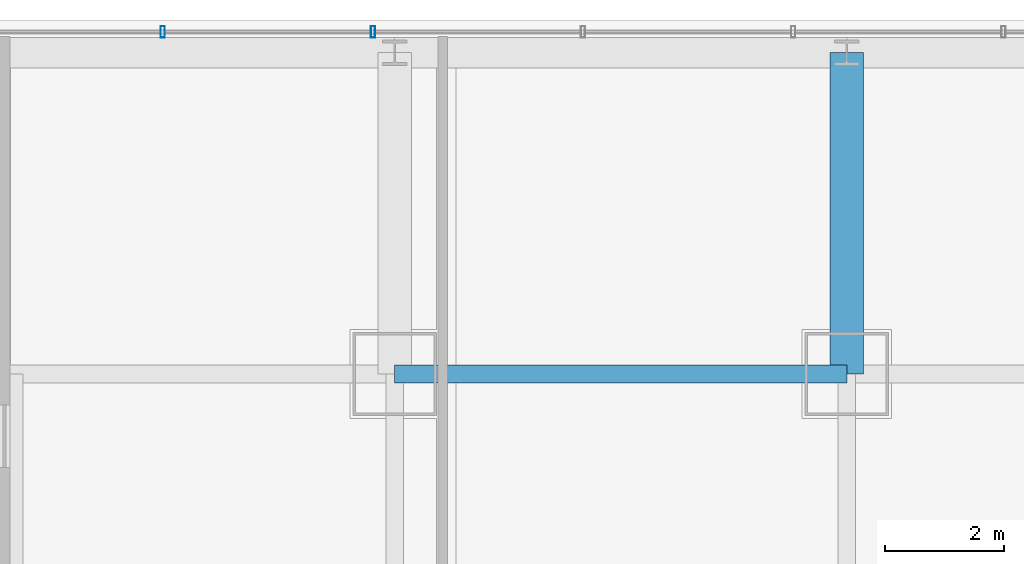
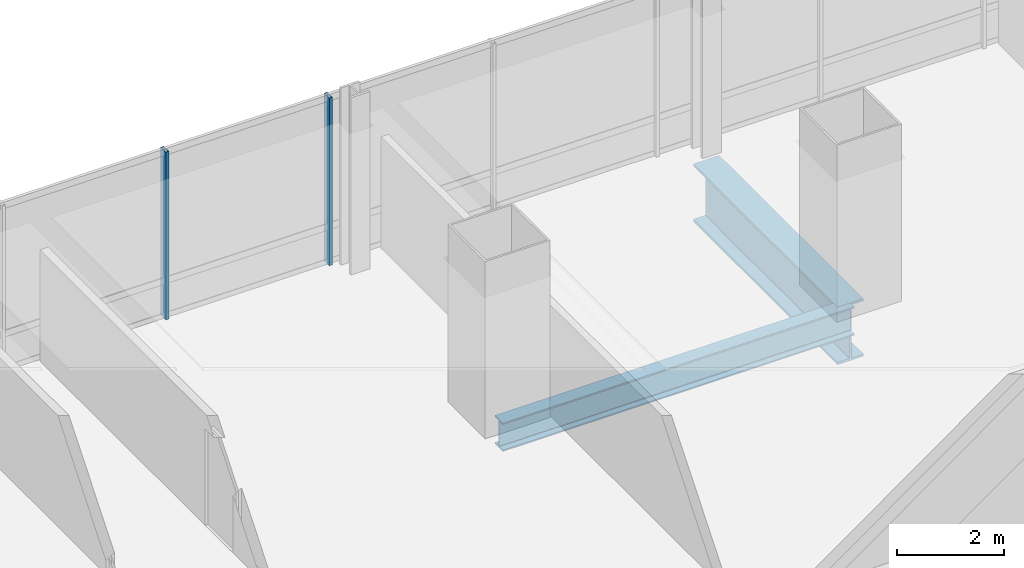
# One storey, part 23 of 38: 2 beams, 2 members, 1 element without a shape of its own.
"""IFC4 building model written with IfcOpenShell, lengths in metres."""

from ifc_helpers import new_model, si_unit, direction, frame, origin, origin_2d, place, context, subcontext, project, spatial, hollow_rectangle, i_section, extrude, material, material_profile, profile_set, type_object, element, aggregate, save


model = new_model("IFC4")

# Units and contexts
model_context = context("Model", 3, precision=1e-05, world=origin(), true_north=direction((0.0, 1.0)))
body_context = subcontext(model_context, "Body", "Model", "MODEL_VIEW")
ifc_project = project(units=[si_unit("LENGTHUNIT", "METRE"), si_unit("AREAUNIT", "SQUARE_METRE"), si_unit("VOLUMEUNIT", "CUBIC_METRE"), si_unit("PLANEANGLEUNIT", "RADIAN"), si_unit("MASSUNIT", "GRAM", prefix="KILO")], contexts=[model_context])

# Site, building, storey
site_placement = place(None, origin())
site = spatial("IfcSite", under=ifc_project, at=site_placement, CompositionType="ELEMENT")
building_placement = place(site_placement, origin())
building = spatial("IfcBuilding", under=site, at=building_placement, Name="Punatoya Terracotta Tower", CompositionType="ELEMENT")
storey_placement = place(building_placement, frame((0.0, 0.0, 143.85009765625)))
storey = spatial("IfcBuildingStorey", under=building, at=storey_placement, Name="L33", CompositionType="ELEMENT", Elevation=143.85009765625)

# Beams
ifc_material_1 = material(Name="Steel S355", Category="steel")
ifc_material_profile_1 = material_profile(ifc_material_1, i_section(OverallWidth=0.300048828125, OverallDepth=0.64990234375, WebThickness=0.01611328125, FlangeThickness=0.031005859375, FilletRadius=0.01806640625, at=origin_2d()))
ifc_profile_set_1 = profile_set([ifc_material_profile_1], Name="Steel S355")
beam_type_1 = type_object("IfcBeamType", Name="BM-PRI-650", PredefinedType="BEAM", material=ifc_profile_set_1)
beam_1_placement = place(storey_placement, frame((-3.800048828125, 17.5, -0.545166015625), z_axis=(1.0, 0.0, 0.0), x_axis=(0.0, 1.0, 0.0)))
element("IfcBeam", 1, at=beam_1_placement, inside=storey, type_object=beam_type_1, Name="BM-L33-RG-N2", PredefinedType="BEAM", context=body_context, shape_type="SweptSolid", body=[
    extrude(i_section(OverallWidth=0.300048828125, OverallDepth=0.64990234375, WebThickness=0.01611328125, FlangeThickness=0.031005859375, FilletRadius=0.01806640625, at=origin_2d()), origin(), (0.0, 0.0, 1.0), 7.60009765625),
])
ifc_material_2 = material(Name="Steel S460", Category="steel")
ifc_material_profile_2 = material_profile(ifc_material_2, i_section(OverallWidth=0.56005859375, OverallDepth=1.320068359375, WebThickness=0.035888671875, FlangeThickness=0.054931640625, FilletRadius=0.01806640625, at=origin_2d()))
ifc_profile_set_2 = profile_set([ifc_material_profile_2], Name="Steel S460")
beam_type_2 = type_object("IfcBeamType", Name="BM-TG-BLK", PredefinedType="BEAM", material=ifc_profile_set_2)
beam_2_placement = place(storey_placement, frame((3.800048828125, 17.5, -0.880126953125), z_axis=(0.0, 1.0, 0.0), x_axis=(-1.0, 0.0, 0.0)))
element("IfcBeam", 2, at=beam_2_placement, inside=storey, type_object=beam_type_2, Name="BM-L33-CANT-N3", PredefinedType="BEAM", context=body_context, shape_type="SweptSolid", body=[
    extrude(i_section(OverallWidth=0.56005859375, OverallDepth=1.320068359375, WebThickness=0.035888671875, FlangeThickness=0.054931640625, FilletRadius=0.01806640625, at=origin_2d()), origin(), (0.0, 0.0, 1.0), 5.39990234375),
])

# Curtain wall, members
ifc_material_3 = material(Name="Aluminium 6063-T6 + Double Low-E Glass", Category="aluminium")
curtain_wall_type = type_object("IfcCurtainWallType", Name="CW-M2", PredefinedType="NOTDEFINED", material=ifc_material_3)
curtain_wall_placement = place(storey_placement, origin())
curtain_wall = element("IfcCurtainWall", 3, at=curtain_wall_placement, inside=storey, type_object=curtain_wall_type, Name="L33 Curtain Wall CW-L33-N09-1", PredefinedType="NOTDEFINED")
ifc_material_4 = material(Name="Aluminium 6063-T6", Category="aluminium")
ifc_material_profile_3 = material_profile(ifc_material_4, hollow_rectangle(XDim=0.072021484375, YDim=0.195068359375, WallThickness=0.00439453125, at=origin_2d()))
ifc_profile_set_3 = profile_set([ifc_material_profile_3], Name="Aluminium 6063-T6")
member_type = type_object("IfcMemberType", Name="CW-MUL-M2", PredefinedType="MULLION", material=ifc_profile_set_3)
member_1_placement = place(storey_placement, frame((-4.1669921875, 23.25, 0.0), z_axis=(0.0, 0.0, 1.0), x_axis=(1.0, 0.0, 0.0)))
member_1 = element("IfcMember", 4, at=member_1_placement, type_object=member_type, Name="CW-L33-N09-1 Mullion 06", PredefinedType="MULLION", context=body_context, shape_type="SweptSolid", body=[
    extrude(hollow_rectangle(XDim=0.072021484375, YDim=0.195068359375, WallThickness=0.00439453125, at=origin_2d()), origin(), (0.0, 0.0, 1.0), 3.829833984375),
])
member_2_placement = place(storey_placement, frame((-7.700927734375, 23.25, 0.0), z_axis=(0.0, 0.0, 1.0), x_axis=(1.0, 0.0, 0.0)))
member_2 = element("IfcMember", 5, at=member_2_placement, type_object=member_type, Name="CW-L33-N09-1 Mullion 07", PredefinedType="MULLION", context=body_context, shape_type="SweptSolid", body=[
    extrude(hollow_rectangle(XDim=0.072021484375, YDim=0.195068359375, WallThickness=0.00439453125, at=origin_2d()), origin(), (0.0, 0.0, 1.0), 3.829833984375),
])
aggregate(curtain_wall, [member_1, member_2])

save(model, "model.ifc")
